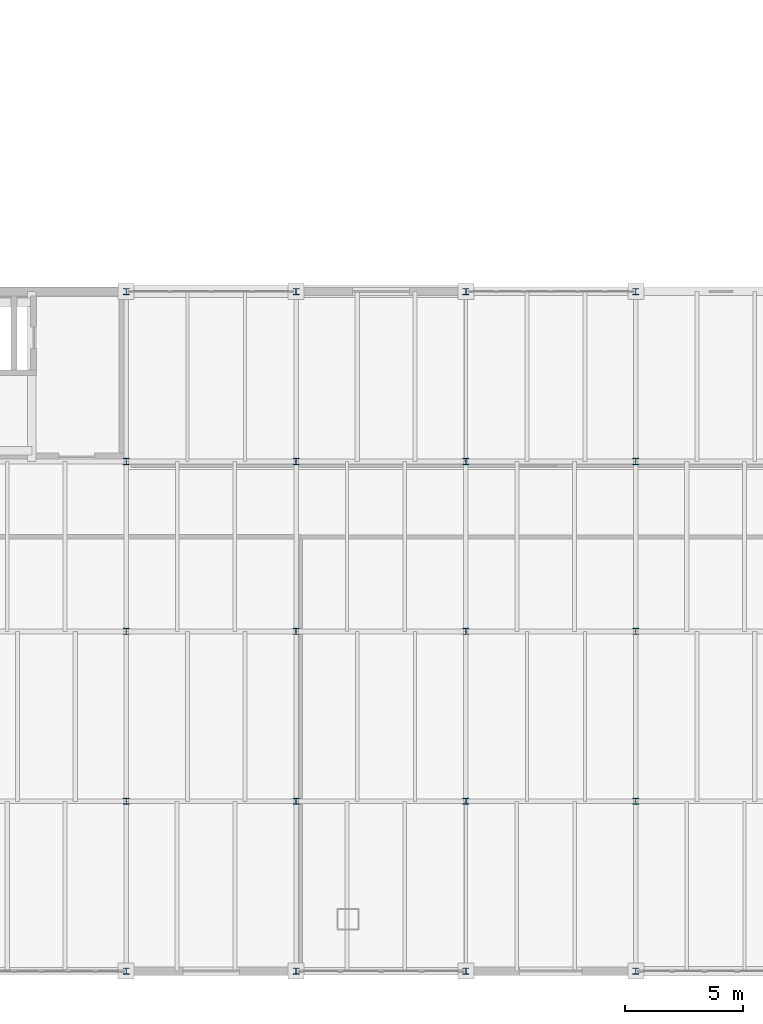
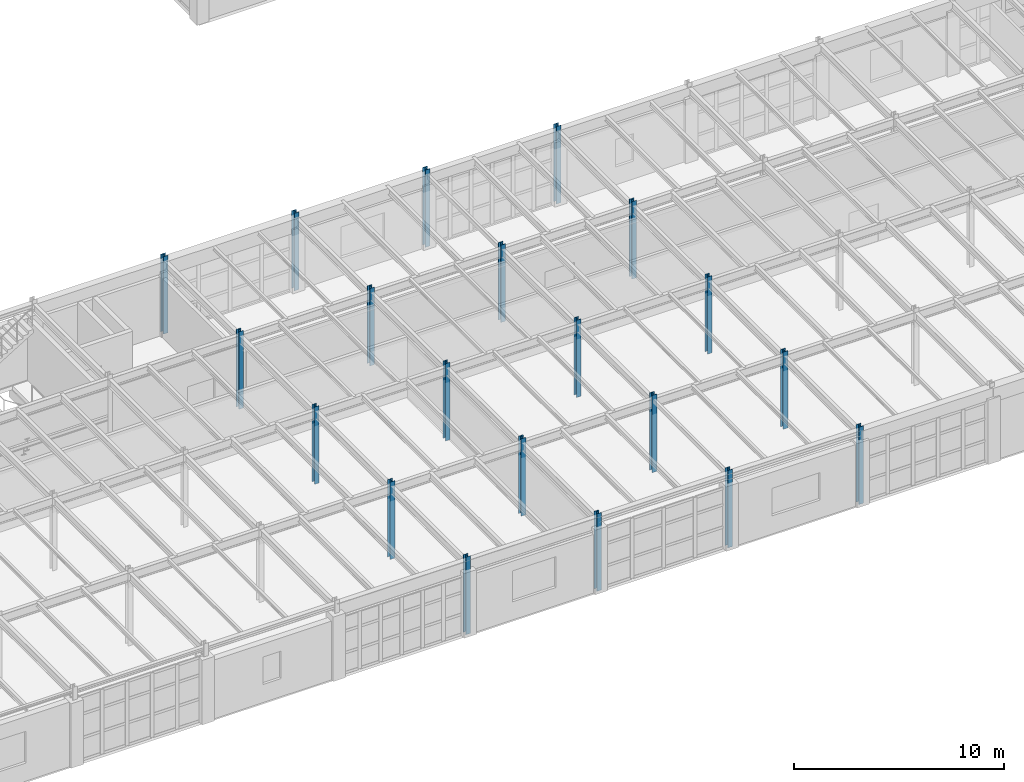
# One storey, part 7 of 137: 20 columns.
"""IFC4 building model written with IfcOpenShell, lengths in metres."""

from ifc_helpers import new_model, si_unit, direction, frame, origin, origin_2d, place, context, subcontext, project, spatial, i_section, extrude, material, material_profile, profile_set, type_object, element, save


model = new_model("IFC4")

# Units and contexts
model_context = context("Model", 3, precision=1e-05, world=origin(), true_north=direction((0.0, 1.0)))
body_context = subcontext(model_context, "Body", "Model", "MODEL_VIEW")
ifc_project = project(units=[si_unit("LENGTHUNIT", "METRE"), si_unit("AREAUNIT", "SQUARE_METRE"), si_unit("VOLUMEUNIT", "CUBIC_METRE"), si_unit("PLANEANGLEUNIT", "RADIAN"), si_unit("MASSUNIT", "GRAM", prefix="KILO")], contexts=[model_context])

# Site, building, storey
site_placement = place(None, origin())
site = spatial("IfcSite", under=ifc_project, at=site_placement, CompositionType="ELEMENT")
building_placement = place(site_placement, origin())
building = spatial("IfcBuilding", under=site, at=building_placement, Name="Kemerveld Promenade Tramway Depot", CompositionType="ELEMENT")
storey_placement = place(building_placement, frame((0.0, 0.0, 5.39990234375)))
storey = spatial("IfcBuildingStorey", under=building, at=storey_placement, Name="L01", CompositionType="ELEMENT", Elevation=5.39990234375)

# Columns
ifc_material = material(Name="Steel S355", Category="steel")
ifc_material_profile = material_profile(ifc_material, i_section(OverallWidth=0.25634765625, OverallDepth=0.26025390625, WebThickness=0.01025390625, FlangeThickness=0.017333984375, FilletRadius=0.0126953125, at=origin_2d()), Name="254x254x89 UC")
ifc_profile_set = profile_set([ifc_material_profile], Name="Steel S355")
column_type = type_object("IfcColumnType", Name="COL-S08", PredefinedType="COLUMN", material=ifc_profile_set)
for number, where, z_axis, x_axis, name in (
    (1, (100.800048828125, 0.0, 0.0), (0.0, 0.0, 1.0), (1.0, 0.0, 0.0), "COL-L01-15-A"),
    (2, (100.800048828125, 7.199951171875, 0.0), (0.0, 0.0, 1.0), (1.0, 0.0, 0.0), "COL-L01-15-B"),
    (3, (100.800048828125, 14.39990234375, 0.0), (0.0, 0.0, 1.0), (1.0, 0.0, 0.0), "COL-L01-15-C"),
    (4, (100.800048828125, 21.60009765625, 0.0), (0.0, 0.0, 1.0), (1.0, 0.0, 0.0), "COL-L01-15-D"),
    (5, (100.800048828125, 28.800048828125, 0.0), (0.0, 0.0, 1.0), (1.0, 0.0, 0.0), "COL-L01-15-E"),
    (6, (108.0, 0.0, 0.0), (0.0, 0.0, 1.0), (1.0, 0.0, 0.0), "COL-L01-16-A"),
    (7, (108.0, 7.199951171875, 0.0), (0.0, 0.0, 1.0), (1.0, 0.0, 0.0), "COL-L01-16-B"),
    (8, (108.0, 14.39990234375, 0.0), (0.0, 0.0, 1.0), (1.0, 0.0, 0.0), "COL-L01-16-C"),
    (9, (108.0, 21.60009765625, 0.0), (0.0, 0.0, 1.0), (1.0, 0.0, 0.0), "COL-L01-16-D"),
    (10, (108.0, 28.800048828125, 0.0), (0.0, 0.0, 1.0), (1.0, 0.0, 0.0), "COL-L01-16-E"),
    (11, (115.199951171875, 0.0, 0.0), (0.0, 0.0, 1.0), (1.0, 0.0, 0.0), "COL-L01-17-A"),
    (12, (115.199951171875, 7.199951171875, 0.0), (0.0, 0.0, 1.0), (1.0, 0.0, 0.0), "COL-L01-17-B"),
    (13, (115.199951171875, 14.39990234375, 0.0), (0.0, 0.0, 1.0), (1.0, 0.0, 0.0), "COL-L01-17-C"),
    (14, (115.199951171875, 21.60009765625, 0.0), (0.0, 0.0, 1.0), (1.0, 0.0, 0.0), "COL-L01-17-D"),
    (15, (115.199951171875, 28.800048828125, 0.0), (0.0, 0.0, 1.0), (1.0, 0.0, 0.0), "COL-L01-17-E"),
    (16, (122.39990234375, 0.0, 0.0), (0.0, 0.0, 1.0), (1.0, 0.0, 0.0), "COL-L01-18-A"),
    (17, (122.39990234375, 7.199951171875, 0.0), (0.0, 0.0, 1.0), (1.0, 0.0, 0.0), "COL-L01-18-B"),
    (18, (122.39990234375, 14.39990234375, 0.0), (0.0, 0.0, 1.0), (1.0, 0.0, 0.0), "COL-L01-18-C"),
    (19, (122.39990234375, 21.60009765625, 0.0), (0.0, 0.0, 1.0), (1.0, 0.0, 0.0), "COL-L01-18-D"),
    (20, (122.39990234375, 28.800048828125, 0.0), (0.0, 0.0, 1.0), (1.0, 0.0, 0.0), "COL-L01-18-E"),
):
    element("IfcColumn", number, at=place(storey_placement, frame(where, z_axis=z_axis, x_axis=x_axis)), inside=storey, type_object=column_type, Name=name, PredefinedType="COLUMN", context=body_context, shape_type="SweptSolid", body=[
        extrude(i_section(OverallWidth=0.25634765625, OverallDepth=0.26025390625, WebThickness=0.01025390625, FlangeThickness=0.017333984375, FilletRadius=0.0126953125, at=origin_2d()), origin(), (0.0, 0.0, 1.0), 4.5),
    ])

save(model, "model.ifc")
